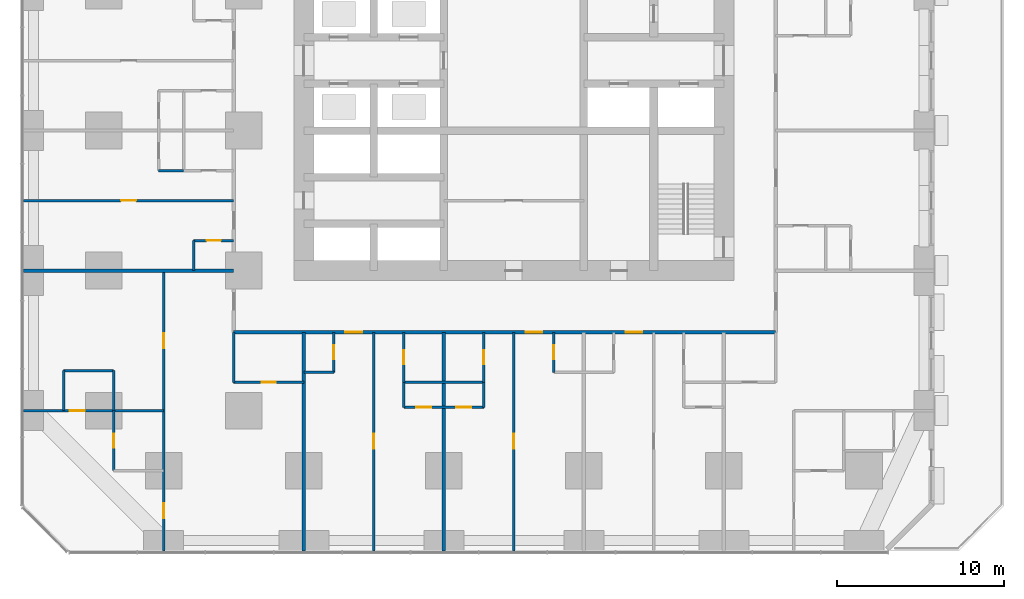
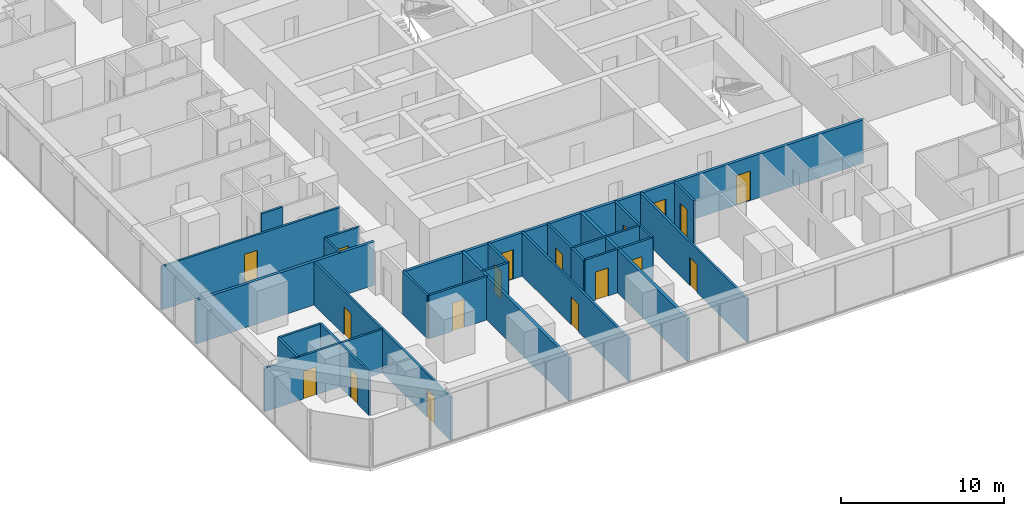
# One storey, part 7 of 16: 27 walls, 18 doors, 18 openings.
"""IFC4 building model written with IfcOpenShell, lengths in metres."""

from ifc_helpers import new_model, si_unit, direction, frame, frame_2d, origin, place, context, subcontext, project, spatial, rectangle, extrude, material, layer, layer_set, type_object, element, fill, save


model = new_model("IFC4")

# Units and contexts
model_context = context("Model", 3, precision=1e-05, world=origin(), true_north=direction((0.0, 1.0)))
body_context = subcontext(model_context, "Body", "Model", "MODEL_VIEW")
ifc_project = project(units=[si_unit("LENGTHUNIT", "METRE"), si_unit("AREAUNIT", "SQUARE_METRE"), si_unit("VOLUMEUNIT", "CUBIC_METRE"), si_unit("PLANEANGLEUNIT", "RADIAN"), si_unit("MASSUNIT", "GRAM", prefix="KILO")], contexts=[model_context])

# Site, building, storey
site_placement = place(None, origin())
site = spatial("IfcSite", under=ifc_project, at=site_placement, CompositionType="ELEMENT")
building_placement = place(site_placement, origin())
building = spatial("IfcBuilding", under=site, at=building_placement, Name="Dunama Terrace Hotel", CompositionType="ELEMENT")
storey_placement = place(building_placement, frame((0.0, 0.0, 93.60009765625)))
storey = spatial("IfcBuildingStorey", under=building, at=storey_placement, Name="L23", CompositionType="ELEMENT", Elevation=93.60009765625)

# Wall, opening, door
ifc_material_1 = material(Name="Gypsum board partition", Category="masonry")
ifc_layer_1 = layer(ifc_material_1, 0.14990234375)
ifc_layer_set_1 = layer_set([ifc_layer_1], Name="Bathroom partition 150")
wall_type_1 = type_object("IfcWallType", Name="Bathroom partition 150", PredefinedType="PARTITIONING", material=ifc_layer_set_1)
wall_1_placement = place(storey_placement, frame((5.39990234375, 4.800048828125, 0.0), z_axis=(0.0, 0.0, 1.0), x_axis=(0.0, 1.0, 0.0)))
wall_1 = element("IfcWall", 1, at=wall_1_placement, inside=storey, type_object=wall_type_1, Name="Bathroom partition 150 L23", PredefinedType="PARTITIONING", context=body_context, shape_type="SweptSolid", body=[
    extrude(rectangle(XDim=3.599853515625, YDim=0.14990234375, at=frame_2d((1.7998046875, 0.0))), origin(), (0.0, 0.0, 1.0), 3.25),
])
opening_1_placement = place(wall_1_placement, frame((1.375, 0.0, 0.0)))
opening_1 = element("IfcOpeningElement", 2, at=opening_1_placement, cuts=wall_1, Name="Opening L23-074", PredefinedType="OPENING", context=body_context, shape_type="SweptSolid", body=[
    extrude(rectangle(XDim=0.85009765625, YDim=2.10009765625, at=frame_2d((0.425048828125, 1.050048828125))), frame((0.0, 0.0849609375, 0.0), z_axis=(0.0, -1.0, 0.0), x_axis=(1.0, 0.0, 0.0)), (0.0, 0.0, 1.0), 0.169921875),
])
ifc_material_2 = material(Name="Timber door with steel frame", Category="steel")
door_type_1 = type_object("IfcDoorType", Name="Bathroom door 850", OperationType="SINGLE_SWING_LEFT", PredefinedType="DOOR", material=ifc_material_2)
door_1_placement = place(opening_1_placement, frame((0.85009765625, 0.0, 0.0), z_axis=(0.0, 0.0, 1.0), x_axis=(-1.0, 0.0, 0.0)))
door_1 = element("IfcDoor", 3, at=door_1_placement, inside=storey, type_object=door_type_1, Name="Door to en-suite bathroom L23-074, type D2", OperationType="SINGLE_SWING_LEFT", OverallHeight=2.10009765625, OverallWidth=0.85009765625, PredefinedType="DOOR", context=body_context, shape_type="SweptSolid", body=[
    extrude(rectangle(XDim=0.85009765625, YDim=2.10009765625, at=frame_2d((0.425048828125, 1.050048828125))), frame((0.0, 0.025146484375, 0.0), z_axis=(0.0, -1.0, 0.0), x_axis=(1.0, 0.0, 0.0)), (0.0, 0.0, 1.0), 0.050048828125),
])
fill(opening_1, door_1)

# Walls
wall_2_placement = place(storey_placement, frame((10.199951171875, 16.800048828125, 0.0), z_axis=(0.0, 0.0, 1.0), x_axis=(0.0, 1.0, 0.0)))
element("IfcWall", 4, at=wall_2_placement, inside=storey, type_object=wall_type_1, Name="Bathroom partition 150 L23", PredefinedType="PARTITIONING", context=body_context, shape_type="SweptSolid", body=[
    extrude(rectangle(XDim=1.800048828125, YDim=0.14990234375, at=frame_2d((0.89990234375, 0.0))), origin(), (0.0, 0.0, 1.0), 3.25),
])
wall_3_placement = place(storey_placement, frame((12.60009765625, 10.10009765625, 0.0), z_axis=(0.0, 0.0, 1.0), x_axis=(0.0, 1.0, 0.0)))
element("IfcWall", 5, at=wall_3_placement, inside=storey, type_object=wall_type_1, Name="Bathroom partition 150 L23", PredefinedType="PARTITIONING", context=body_context, shape_type="SweptSolid", body=[
    extrude(rectangle(XDim=3.0, YDim=0.14990234375, at=frame_2d((1.5, 0.0))), origin(), (0.0, 0.0, 1.0), 3.25),
])

# Wall, opening, door
wall_4_placement = place(storey_placement, frame((18.60009765625, 10.699951171875, 0.0), z_axis=(0.0, 0.0, 1.0), x_axis=(0.0, 1.0, 0.0)))
wall_4 = element("IfcWall", 6, at=wall_4_placement, inside=storey, type_object=wall_type_1, Name="Bathroom partition 150 L23", PredefinedType="PARTITIONING", context=body_context, shape_type="SweptSolid", body=[
    extrude(rectangle(XDim=2.400146484375, YDim=0.14990234375, at=frame_2d((1.2001953125, 0.0))), origin(), (0.0, 0.0, 1.0), 3.25),
])
opening_2_placement = place(wall_4_placement, frame((0.77490234375, 0.0, 0.0)))
opening_2 = element("IfcOpeningElement", 7, at=opening_2_placement, cuts=wall_4, Name="Opening L23-026", PredefinedType="OPENING", context=body_context, shape_type="SweptSolid", body=[
    extrude(rectangle(XDim=0.85009765625, YDim=2.10009765625, at=frame_2d((0.425048828125, 1.050048828125))), frame((0.0, 0.0849609375, 0.0), z_axis=(0.0, -1.0, 0.0), x_axis=(1.0, 0.0, 0.0)), (0.0, 0.0, 1.0), 0.169921875),
])
door_2_placement = place(opening_2_placement, origin())
door_2 = element("IfcDoor", 8, at=door_2_placement, inside=storey, type_object=door_type_1, Name="Door to powder room L23-026, type D2", OperationType="SINGLE_SWING_RIGHT", OverallHeight=2.10009765625, OverallWidth=0.85009765625, PredefinedType="DOOR", context=body_context, shape_type="SweptSolid", body=[
    extrude(rectangle(XDim=0.85009765625, YDim=2.10009765625, at=frame_2d((0.425048828125, 1.050048828125))), frame((0.0, 0.02490234375, 0.0), z_axis=(0.0, -1.0, 0.0), x_axis=(1.0, 0.0, 0.0)), (0.0, 0.0, 1.0), 0.050048828125),
])
fill(opening_2, door_2)

wall_5_placement = place(storey_placement, frame((22.800048828125, 10.10009765625, 0.0), z_axis=(0.0, 0.0, 1.0), x_axis=(0.0, 1.0, 0.0)))
wall_5 = element("IfcWall", 9, at=wall_5_placement, inside=storey, type_object=wall_type_1, Name="Bathroom partition 150 L23", PredefinedType="PARTITIONING", context=body_context, shape_type="SweptSolid", body=[
    extrude(rectangle(XDim=3.0, YDim=0.14990234375, at=frame_2d((1.5, 0.0))), origin(), (0.0, 0.0, 1.0), 3.25),
])
opening_3_placement = place(wall_5_placement, frame((1.074951171875, 0.0, 0.0)))
opening_3 = element("IfcOpeningElement", 10, at=opening_3_placement, cuts=wall_5, Name="Opening L23-028", PredefinedType="OPENING", context=body_context, shape_type="SweptSolid", body=[
    extrude(rectangle(XDim=0.85009765625, YDim=2.10009765625, at=frame_2d((0.425048828125, 1.050048828125))), frame((0.0, 0.0849609375, 0.0), z_axis=(0.0, -1.0, 0.0), x_axis=(1.0, 0.0, 0.0)), (0.0, 0.0, 1.0), 0.169921875),
])
door_3_placement = place(opening_3_placement, frame((0.85009765625, 0.0, 0.0), z_axis=(0.0, 0.0, 1.0), x_axis=(-1.0, 0.0, 0.0)))
door_3 = element("IfcDoor", 11, at=door_3_placement, inside=storey, type_object=door_type_1, Name="Door to en-suite bathroom L23-028, type D2", OperationType="SINGLE_SWING_LEFT", OverallHeight=2.10009765625, OverallWidth=0.85009765625, PredefinedType="DOOR", context=body_context, shape_type="SweptSolid", body=[
    extrude(rectangle(XDim=0.85009765625, YDim=2.10009765625, at=frame_2d((0.425048828125, 1.050048828125))), frame((0.0, 0.025146484375, 0.0), z_axis=(0.0, -1.0, 0.0), x_axis=(1.0, 0.0, 0.0)), (0.0, 0.0, 1.0), 0.050048828125),
])
fill(opening_3, door_3)

wall_6_placement = place(storey_placement, frame((27.60009765625, 10.10009765625, 0.0), z_axis=(0.0, 0.0, 1.0), x_axis=(0.0, 1.0, 0.0)))
wall_6 = element("IfcWall", 12, at=wall_6_placement, inside=storey, type_object=wall_type_1, Name="Bathroom partition 150 L23", PredefinedType="PARTITIONING", context=body_context, shape_type="SweptSolid", body=[
    extrude(rectangle(XDim=3.0, YDim=0.14990234375, at=frame_2d((1.5, 0.0))), origin(), (0.0, 0.0, 1.0), 3.25),
])
opening_4_placement = place(wall_6_placement, frame((1.074951171875, 0.0, 0.0)))
opening_4 = element("IfcOpeningElement", 13, at=opening_4_placement, cuts=wall_6, Name="Opening L23-033", PredefinedType="OPENING", context=body_context, shape_type="SweptSolid", body=[
    extrude(rectangle(XDim=0.85009765625, YDim=2.10009765625, at=frame_2d((0.425048828125, 1.050048828125))), frame((0.0, 0.0849609375, 0.0), z_axis=(0.0, -1.0, 0.0), x_axis=(1.0, 0.0, 0.0)), (0.0, 0.0, 1.0), 0.169921875),
])
door_4_placement = place(opening_4_placement, origin())
door_4 = element("IfcDoor", 14, at=door_4_placement, inside=storey, type_object=door_type_1, Name="Door to en-suite bathroom L23-033, type D2", OperationType="SINGLE_SWING_RIGHT", OverallHeight=2.10009765625, OverallWidth=0.85009765625, PredefinedType="DOOR", context=body_context, shape_type="SweptSolid", body=[
    extrude(rectangle(XDim=0.85009765625, YDim=2.10009765625, at=frame_2d((0.425048828125, 1.050048828125))), frame((0.0, 0.02490234375, 0.0), z_axis=(0.0, -1.0, 0.0), x_axis=(1.0, 0.0, 0.0)), (0.0, 0.0, 1.0), 0.050048828125),
])
fill(opening_4, door_4)

wall_7_placement = place(storey_placement, frame((31.800048828125, 10.699951171875, 0.0), z_axis=(0.0, 0.0, 1.0), x_axis=(0.0, 1.0, 0.0)))
wall_7 = element("IfcWall", 15, at=wall_7_placement, inside=storey, type_object=wall_type_1, Name="Bathroom partition 150 L23", PredefinedType="PARTITIONING", context=body_context, shape_type="SweptSolid", body=[
    extrude(rectangle(XDim=2.400146484375, YDim=0.14990234375, at=frame_2d((1.2001953125, 0.0))), origin(), (0.0, 0.0, 1.0), 3.25),
])
opening_5_placement = place(wall_7_placement, frame((0.77490234375, 0.0, 0.0)))
opening_5 = element("IfcOpeningElement", 16, at=opening_5_placement, cuts=wall_7, Name="Opening L23-031", PredefinedType="OPENING", context=body_context, shape_type="SweptSolid", body=[
    extrude(rectangle(XDim=0.85009765625, YDim=2.10009765625, at=frame_2d((0.425048828125, 1.050048828125))), frame((0.0, 0.0849609375, 0.0), z_axis=(0.0, -1.0, 0.0), x_axis=(1.0, 0.0, 0.0)), (0.0, 0.0, 1.0), 0.169921875),
])
door_5_placement = place(opening_5_placement, frame((0.85009765625, 0.0, 0.0), z_axis=(0.0, 0.0, 1.0), x_axis=(-1.0, 0.0, 0.0)))
door_5 = element("IfcDoor", 17, at=door_5_placement, inside=storey, type_object=door_type_1, Name="Door to powder room L23-031, type D2", OperationType="SINGLE_SWING_LEFT", OverallHeight=2.10009765625, OverallWidth=0.85009765625, PredefinedType="DOOR", context=body_context, shape_type="SweptSolid", body=[
    extrude(rectangle(XDim=0.85009765625, YDim=2.10009765625, at=frame_2d((0.425048828125, 1.050048828125))), frame((0.0, 0.025146484375, 0.0), z_axis=(0.0, -1.0, 0.0), x_axis=(1.0, 0.0, 0.0)), (0.0, 0.0, 1.0), 0.050048828125),
])
fill(opening_5, door_5)

wall_8_placement = place(storey_placement, frame((12.60009765625, 10.10009765625, 0.0), z_axis=(0.0, 0.0, 1.0), x_axis=(1.0, 0.0, 0.0)))
wall_8 = element("IfcWall", 18, at=wall_8_placement, inside=storey, type_object=wall_type_1, Name="Bathroom partition 150 L23", PredefinedType="PARTITIONING", context=body_context, shape_type="SweptSolid", body=[
    extrude(rectangle(XDim=4.199951171875, YDim=0.14990234375, at=frame_2d((2.10009765625, 0.0))), origin(), (0.0, 0.0, 1.0), 3.25),
])
opening_6_placement = place(wall_8_placement, frame((1.675048828125, 0.0, 0.0)))
opening_6 = element("IfcOpeningElement", 19, at=opening_6_placement, cuts=wall_8, Name="Opening L23-072", PredefinedType="OPENING", context=body_context, shape_type="SweptSolid", body=[
    extrude(rectangle(XDim=0.85009765625, YDim=2.10009765625, at=frame_2d((0.425048828125, 1.050048828125))), frame((0.0, 0.0849609375, 0.0), z_axis=(0.0, -1.0, 0.0), x_axis=(1.0, 0.0, 0.0)), (0.0, 0.0, 1.0), 0.169921875),
])
door_6_placement = place(opening_6_placement, origin())
door_6 = element("IfcDoor", 20, at=door_6_placement, inside=storey, type_object=door_type_1, Name="Door to powder room L23-072, type D2", OperationType="SINGLE_SWING_LEFT", OverallHeight=2.10009765625, OverallWidth=0.85009765625, PredefinedType="DOOR", context=body_context, shape_type="SweptSolid", body=[
    extrude(rectangle(XDim=0.85009765625, YDim=2.10009765625, at=frame_2d((0.425048828125, 1.050048828125))), frame((0.0, 0.02490234375, 0.0), z_axis=(0.0, -1.0, 0.0), x_axis=(1.0, 0.0, 0.0)), (0.0, 0.0, 1.0), 0.050048828125),
])
fill(opening_6, door_6)

# Wall
wall_9_placement = place(storey_placement, frame((16.800048828125, 10.699951171875, 0.0), z_axis=(0.0, 0.0, 1.0), x_axis=(1.0, 0.0, 0.0)))
element("IfcWall", 21, at=wall_9_placement, inside=storey, type_object=wall_type_1, Name="Bathroom partition 150 L23", PredefinedType="PARTITIONING", context=body_context, shape_type="SweptSolid", body=[
    extrude(rectangle(XDim=1.800048828125, YDim=0.14990234375, at=frame_2d((0.89990234375, 0.0))), origin(), (0.0, 0.0, 1.0), 3.25),
])

# Wall, opening, door
wall_10_placement = place(storey_placement, frame((10.199951171875, 18.60009765625, 0.0), z_axis=(0.0, 0.0, 1.0), x_axis=(1.0, 0.0, 0.0)))
wall_10 = element("IfcWall", 22, at=wall_10_placement, inside=storey, type_object=wall_type_1, Name="Bathroom partition 150 L23", PredefinedType="PARTITIONING", context=body_context, shape_type="SweptSolid", body=[
    extrude(rectangle(XDim=2.400146484375, YDim=0.14990234375, at=frame_2d((1.2001953125, 0.0))), origin(), (0.0, 0.0, 1.0), 3.25),
])
opening_7_placement = place(wall_10_placement, frame((0.77490234375, 0.0, 0.0)))
opening_7 = element("IfcOpeningElement", 23, at=opening_7_placement, cuts=wall_10, Name="Opening L23-057", PredefinedType="OPENING", context=body_context, shape_type="SweptSolid", body=[
    extrude(rectangle(XDim=0.85009765625, YDim=2.10009765625, at=frame_2d((0.425048828125, 1.050048828125))), frame((0.0, 0.0849609375, 0.0), z_axis=(0.0, -1.0, 0.0), x_axis=(1.0, 0.0, 0.0)), (0.0, 0.0, 1.0), 0.169921875),
])
door_7_placement = place(opening_7_placement, frame((0.85009765625, 0.0, 0.0), z_axis=(0.0, 0.0, 1.0), x_axis=(-1.0, 0.0, 0.0)))
door_7 = element("IfcDoor", 24, at=door_7_placement, inside=storey, type_object=door_type_1, Name="Door to powder room L23-057, type D2", OperationType="SINGLE_SWING_LEFT", OverallHeight=2.10009765625, OverallWidth=0.85009765625, PredefinedType="DOOR", context=body_context, shape_type="SweptSolid", body=[
    extrude(rectangle(XDim=0.85009765625, YDim=2.10009765625, at=frame_2d((0.425048828125, 1.050048828125))), frame((0.0, 0.025146484375, 0.0), z_axis=(0.0, -1.0, 0.0), x_axis=(1.0, 0.0, 0.0)), (0.0, 0.0, 1.0), 0.050048828125),
])
fill(opening_7, door_7)

# Wall, openings, doors
ifc_material_3 = material(Name="Concrete blockwork", Category="masonry")
ifc_layer_2 = layer(ifc_material_3, 0.199951171875)
ifc_layer_set_2 = layer_set([ifc_layer_2], Name="Corridor partition 200")
wall_type_2 = type_object("IfcWallType", Name="Corridor partition 200", PredefinedType="PARTITIONING", material=ifc_layer_set_2)
wall_11_placement = place(storey_placement, frame((45.10009765625, 13.10009765625, 0.0), z_axis=(0.0, 0.0, 1.0), x_axis=(-1.0, 0.0, 0.0)))
wall_11 = element("IfcWall", 25, at=wall_11_placement, inside=storey, type_object=wall_type_2, Name="Corridor partition 200 L23", PredefinedType="PARTITIONING", context=body_context, shape_type="SweptSolid", body=[
    extrude(rectangle(XDim=32.5, YDim=0.199951171875, at=frame_2d((16.25, 0.0))), origin(), (0.0, 0.0, 1.0), 3.25),
])
opening_8_placement = place(wall_11_placement, frame((24.800048828125, 0.0, 0.0)))
opening_8 = element("IfcOpeningElement", 26, at=opening_8_placement, cuts=wall_11, Name="Opening L23-025", PredefinedType="OPENING", context=body_context, shape_type="SweptSolid", body=[
    extrude(rectangle(XDim=1.0, YDim=2.199951171875, at=frame_2d((0.5, 1.10009765625))), frame((0.0, 0.10986328125, 0.0), z_axis=(0.0, -1.0, 0.0), x_axis=(1.0, 0.0, 0.0)), (0.0, 0.0, 1.0), 0.219970703125),
])
opening_9_placement = place(wall_11_placement, frame((14.0, 0.0, 0.0)))
opening_9 = element("IfcOpeningElement", 27, at=opening_9_placement, cuts=wall_11, Name="Opening L23-030", PredefinedType="OPENING", context=body_context, shape_type="SweptSolid", body=[
    extrude(rectangle(XDim=1.0, YDim=2.199951171875, at=frame_2d((0.5, 1.10009765625))), frame((0.0, 0.10986328125, 0.0), z_axis=(0.0, -1.0, 0.0), x_axis=(1.0, 0.0, 0.0)), (0.0, 0.0, 1.0), 0.219970703125),
])
opening_10_placement = place(wall_11_placement, frame((8.0, 0.0, 0.0)))
opening_10 = element("IfcOpeningElement", 28, at=opening_10_placement, cuts=wall_11, Name="Opening L23-035", PredefinedType="OPENING", context=body_context, shape_type="SweptSolid", body=[
    extrude(rectangle(XDim=1.0, YDim=2.199951171875, at=frame_2d((0.5, 1.10009765625))), frame((0.0, 0.10986328125, 0.0), z_axis=(0.0, -1.0, 0.0), x_axis=(1.0, 0.0, 0.0)), (0.0, 0.0, 1.0), 0.219970703125),
])
ifc_material_4 = material(Name="Timber door with steel frame", Category="steel")
door_type_2 = type_object("IfcDoorType", Name="Guest room door 1000", OperationType="SINGLE_SWING_LEFT", PredefinedType="DOOR", material=ifc_material_4)
door_8_placement = place(opening_8_placement, origin())
door_8 = element("IfcDoor", 29, at=door_8_placement, inside=storey, type_object=door_type_2, Name="Door to premier suite living room L23-025, type D1", OperationType="SINGLE_SWING_LEFT", OverallHeight=2.199951171875, OverallWidth=1.0, PredefinedType="DOOR", context=body_context, shape_type="SweptSolid", body=[
    extrude(rectangle(XDim=1.0, YDim=2.199951171875, at=frame_2d((0.5, 1.10009765625))), frame((0.0, 0.02490234375, 0.0), z_axis=(0.0, -1.0, 0.0), x_axis=(1.0, 0.0, 0.0)), (0.0, 0.0, 1.0), 0.050048828125),
])
fill(opening_8, door_8)
door_9_placement = place(opening_9_placement, origin())
door_9 = element("IfcDoor", 30, at=door_9_placement, inside=storey, type_object=door_type_2, Name="Door to premier suite living room L23-030, type D1", OperationType="SINGLE_SWING_LEFT", OverallHeight=2.199951171875, OverallWidth=1.0, PredefinedType="DOOR", context=body_context, shape_type="SweptSolid", body=[
    extrude(rectangle(XDim=1.0, YDim=2.199951171875, at=frame_2d((0.5, 1.10009765625))), frame((0.0, 0.02490234375, 0.0), z_axis=(0.0, -1.0, 0.0), x_axis=(1.0, 0.0, 0.0)), (0.0, 0.0, 1.0), 0.050048828125),
])
fill(opening_9, door_9)
door_10_placement = place(opening_10_placement, origin())
door_10 = element("IfcDoor", 31, at=door_10_placement, inside=storey, type_object=door_type_2, Name="Door to premier suite living room L23-035, type D1", OperationType="SINGLE_SWING_LEFT", OverallHeight=2.199951171875, OverallWidth=1.0, PredefinedType="DOOR", context=body_context, shape_type="SweptSolid", body=[
    extrude(rectangle(XDim=1.0, YDim=2.199951171875, at=frame_2d((0.5, 1.10009765625))), frame((0.0, 0.02490234375, 0.0), z_axis=(0.0, -1.0, 0.0), x_axis=(1.0, 0.0, 0.0)), (0.0, 0.0, 1.0), 0.050048828125),
])
fill(opening_10, door_10)

# Walls
ifc_material_5 = material(Name="Concrete blockwork", Category="masonry")
ifc_layer_3 = layer(ifc_material_5, 0.199951171875)
ifc_layer_set_3 = layer_set([ifc_layer_3], Name="Party wall 200")
wall_type_3 = type_object("IfcWallType", Name="Party wall 200", PredefinedType="PARTITIONING", material=ifc_layer_set_3)
for number, where, z_axis, x_axis, name in (
    (32, (16.800048828125, -0.01806640625, 0.0), (0.0, 0.0, 1.0), (0.0, 1.0, 0.0), "Party wall 200 L23"),
    (33, (25.199951171875, -0.01806640625, 0.0), (0.0, 0.0, 1.0), (0.0, 1.0, 0.0), "Party wall 200 L23"),
):
    element("IfcWall", number, at=place(storey_placement, frame(where, z_axis=z_axis, x_axis=x_axis)), inside=storey, type_object=wall_type_3, Name=name, PredefinedType="PARTITIONING", context=body_context, shape_type="SweptSolid", body=[
        extrude(rectangle(XDim=13.1181640625, YDim=0.199951171875, at=frame_2d((6.55908203125, 0.0))), origin(), (0.0, 0.0, 1.0), 3.25),
    ])
wall_12_placement = place(storey_placement, frame((-0.01806640625, 16.800048828125, 0.0), z_axis=(0.0, 0.0, 1.0), x_axis=(1.0, 0.0, 0.0)))
element("IfcWall", 34, at=wall_12_placement, inside=storey, type_object=wall_type_3, Name="Party wall 200 L23", PredefinedType="PARTITIONING", context=body_context, shape_type="SweptSolid", body=[
    extrude(rectangle(XDim=12.6181640625, YDim=0.199951171875, at=frame_2d((6.30908203125, 0.0))), origin(), (0.0, 0.0, 1.0), 3.25),
])
ifc_material_6 = material(Name="Gypsum board partition", Category="masonry")
ifc_layer_4 = layer(ifc_material_6, 0.14990234375)
ifc_layer_set_4 = layer_set([ifc_layer_4], Name="Room partition 150")
wall_type_4 = type_object("IfcWallType", Name="Room partition 150", PredefinedType="PARTITIONING", material=ifc_layer_set_4)
for number, where, z_axis, x_axis, name in (
    (35, (2.39990234375, 8.39990234375, 0.0), (0.0, 0.0, 1.0), (0.0, 1.0, 0.0), "Room partition 150 L23"),
    (36, (5.39990234375, 8.39990234375, 0.0), (0.0, 0.0, 1.0), (0.0, 1.0, 0.0), "Room partition 150 L23"),
):
    element("IfcWall", number, at=place(storey_placement, frame(where, z_axis=z_axis, x_axis=x_axis)), inside=storey, type_object=wall_type_4, Name=name, PredefinedType="PARTITIONING", context=body_context, shape_type="SweptSolid", body=[
        extrude(rectangle(XDim=2.400146484375, YDim=0.14990234375, at=frame_2d((1.2001953125, 0.0))), origin(), (0.0, 0.0, 1.0), 3.25),
    ])

# Wall, openings, doors
wall_13_placement = place(storey_placement, frame((8.39990234375, -0.01806640625, 0.0), z_axis=(0.0, 0.0, 1.0), x_axis=(0.0, 1.0, 0.0)))
wall_13 = element("IfcWall", 37, at=wall_13_placement, inside=storey, type_object=wall_type_4, Name="Room partition 150 L23", PredefinedType="PARTITIONING", context=body_context, shape_type="SweptSolid", body=[
    extrude(rectangle(XDim=16.818115234375, YDim=0.14990234375, at=frame_2d((8.4091796875, 0.0))), origin(), (0.0, 0.0, 1.0), 3.25),
])
opening_11_placement = place(wall_13_placement, frame((1.968017578125, 0.0, 0.0)))
opening_11 = element("IfcOpeningElement", 38, at=opening_11_placement, cuts=wall_13, Name="Opening L23-073", PredefinedType="OPENING", context=body_context, shape_type="SweptSolid", body=[
    extrude(rectangle(XDim=0.89990234375, YDim=2.10009765625, at=frame_2d((0.449951171875, 1.050048828125))), frame((0.0, 0.0849609375, 0.0), z_axis=(0.0, -1.0, 0.0), x_axis=(1.0, 0.0, 0.0)), (0.0, 0.0, 1.0), 0.169921875),
])
opening_12_placement = place(wall_13_placement, frame((12.16796875, 0.0, 0.0)))
opening_12 = element("IfcOpeningElement", 39, at=opening_12_placement, cuts=wall_13, Name="Opening L23-076", PredefinedType="OPENING", context=body_context, shape_type="SweptSolid", body=[
    extrude(rectangle(XDim=0.89990234375, YDim=2.10009765625, at=frame_2d((0.449951171875, 1.050048828125))), frame((0.0, 0.0849609375, 0.0), z_axis=(0.0, -1.0, 0.0), x_axis=(1.0, 0.0, 0.0)), (0.0, 0.0, 1.0), 0.169921875),
])
ifc_material_7 = material(Name="Timber door with steel frame", Category="steel")
door_type_3 = type_object("IfcDoorType", Name="Suite internal door 900", OperationType="SINGLE_SWING_LEFT", PredefinedType="DOOR", material=ifc_material_7)
door_11_placement = place(opening_11_placement, origin())
door_11 = element("IfcDoor", 40, at=door_11_placement, inside=storey, type_object=door_type_3, Name="Door to corner suite bedroom L23-073, type D16", OperationType="SINGLE_SWING_LEFT", OverallHeight=2.10009765625, OverallWidth=0.89990234375, PredefinedType="DOOR", context=body_context, shape_type="SweptSolid", body=[
    extrude(rectangle(XDim=0.89990234375, YDim=2.10009765625, at=frame_2d((0.449951171875, 1.050048828125))), frame((0.0, 0.02490234375, 0.0), z_axis=(0.0, -1.0, 0.0), x_axis=(1.0, 0.0, 0.0)), (0.0, 0.0, 1.0), 0.050048828125),
])
fill(opening_11, door_11)
door_12_placement = place(opening_12_placement, origin())
door_12 = element("IfcDoor", 41, at=door_12_placement, inside=storey, type_object=door_type_3, Name="Door to corner suite study L23-076, type D16", OperationType="SINGLE_SWING_LEFT", OverallHeight=2.10009765625, OverallWidth=0.89990234375, PredefinedType="DOOR", context=body_context, shape_type="SweptSolid", body=[
    extrude(rectangle(XDim=0.89990234375, YDim=2.10009765625, at=frame_2d((0.449951171875, 1.050048828125))), frame((0.0, 0.02490234375, 0.0), z_axis=(0.0, -1.0, 0.0), x_axis=(1.0, 0.0, 0.0)), (0.0, 0.0, 1.0), 0.050048828125),
])
fill(opening_12, door_12)

# Wall, opening, door
wall_14_placement = place(storey_placement, frame((21.0, -0.01806640625, 0.0), z_axis=(0.0, 0.0, 1.0), x_axis=(0.0, 1.0, 0.0)))
wall_14 = element("IfcWall", 42, at=wall_14_placement, inside=storey, type_object=wall_type_4, Name="Room partition 150 L23", PredefinedType="PARTITIONING", context=body_context, shape_type="SweptSolid", body=[
    extrude(rectangle(XDim=13.1181640625, YDim=0.14990234375, at=frame_2d((6.55908203125, 0.0))), origin(), (0.0, 0.0, 1.0), 3.25),
])
opening_13_placement = place(wall_14_placement, frame((6.117919921875, 0.0, 0.0)))
opening_13 = element("IfcOpeningElement", 43, at=opening_13_placement, cuts=wall_14, Name="Opening L23-027", PredefinedType="OPENING", context=body_context, shape_type="SweptSolid", body=[
    extrude(rectangle(XDim=0.89990234375, YDim=2.10009765625, at=frame_2d((0.449951171875, 1.050048828125))), frame((0.0, 0.0849609375, 0.0), z_axis=(0.0, -1.0, 0.0), x_axis=(1.0, 0.0, 0.0)), (0.0, 0.0, 1.0), 0.169921875),
])
door_13_placement = place(opening_13_placement, frame((0.89990234375, 0.0, 0.0), z_axis=(0.0, 0.0, 1.0), x_axis=(-1.0, 0.0, 0.0)))
door_13 = element("IfcDoor", 44, at=door_13_placement, inside=storey, type_object=door_type_3, Name="Door to premier suite bedroom L23-027, type D16", OperationType="SINGLE_SWING_LEFT", OverallHeight=2.10009765625, OverallWidth=0.89990234375, PredefinedType="DOOR", context=body_context, shape_type="SweptSolid", body=[
    extrude(rectangle(XDim=0.89990234375, YDim=2.10009765625, at=frame_2d((0.449951171875, 1.050048828125))), frame((0.0, 0.025146484375, 0.0), z_axis=(0.0, -1.0, 0.0), x_axis=(1.0, 0.0, 0.0)), (0.0, 0.0, 1.0), 0.050048828125),
])
fill(opening_13, door_13)

# Walls
for number, where, z_axis, x_axis, name in (
    (45, (22.800048828125, 8.60009765625, 0.0), (0.0, 0.0, 1.0), (0.0, 1.0, 0.0), "Room partition 150 L23"),
    (46, (27.60009765625, 8.60009765625, 0.0), (0.0, 0.0, 1.0), (0.0, 1.0, 0.0), "Room partition 150 L23"),
):
    element("IfcWall", number, at=place(storey_placement, frame(where, z_axis=z_axis, x_axis=x_axis)), inside=storey, type_object=wall_type_4, Name=name, PredefinedType="PARTITIONING", context=body_context, shape_type="SweptSolid", body=[
        extrude(rectangle(XDim=1.5, YDim=0.14990234375, at=frame_2d((0.75, 0.0))), origin(), (0.0, 0.0, 1.0), 3.25),
    ])

# Wall, opening, door
wall_15_placement = place(storey_placement, frame((29.39990234375, -0.01806640625, 0.0), z_axis=(0.0, 0.0, 1.0), x_axis=(0.0, 1.0, 0.0)))
wall_15 = element("IfcWall", 47, at=wall_15_placement, inside=storey, type_object=wall_type_4, Name="Room partition 150 L23", PredefinedType="PARTITIONING", context=body_context, shape_type="SweptSolid", body=[
    extrude(rectangle(XDim=13.1181640625, YDim=0.14990234375, at=frame_2d((6.55908203125, 0.0))), origin(), (0.0, 0.0, 1.0), 3.25),
])
opening_14_placement = place(wall_15_placement, frame((6.117919921875, 0.0, 0.0)))
opening_14 = element("IfcOpeningElement", 48, at=opening_14_placement, cuts=wall_15, Name="Opening L23-032", PredefinedType="OPENING", context=body_context, shape_type="SweptSolid", body=[
    extrude(rectangle(XDim=0.89990234375, YDim=2.10009765625, at=frame_2d((0.449951171875, 1.050048828125))), frame((0.0, 0.0849609375, 0.0), z_axis=(0.0, -1.0, 0.0), x_axis=(1.0, 0.0, 0.0)), (0.0, 0.0, 1.0), 0.169921875),
])
door_14_placement = place(opening_14_placement, origin())
door_14 = element("IfcDoor", 49, at=door_14_placement, inside=storey, type_object=door_type_3, Name="Door to premier suite bedroom L23-032, type D16", OperationType="SINGLE_SWING_RIGHT", OverallHeight=2.10009765625, OverallWidth=0.89990234375, PredefinedType="DOOR", context=body_context, shape_type="SweptSolid", body=[
    extrude(rectangle(XDim=0.89990234375, YDim=2.10009765625, at=frame_2d((0.449951171875, 1.050048828125))), frame((0.0, 0.02490234375, 0.0), z_axis=(0.0, -1.0, 0.0), x_axis=(1.0, 0.0, 0.0)), (0.0, 0.0, 1.0), 0.050048828125),
])
fill(opening_14, door_14)

wall_16_placement = place(storey_placement, frame((-0.01806640625, 8.39990234375, 0.0), z_axis=(0.0, 0.0, 1.0), x_axis=(1.0, 0.0, 0.0)))
wall_16 = element("IfcWall", 50, at=wall_16_placement, inside=storey, type_object=wall_type_4, Name="Room partition 150 L23", PredefinedType="PARTITIONING", context=body_context, shape_type="SweptSolid", body=[
    extrude(rectangle(XDim=8.41796875, YDim=0.14990234375, at=frame_2d((4.208984375, 0.0))), origin(), (0.0, 0.0, 1.0), 3.25),
])
opening_15_placement = place(wall_16_placement, frame((2.76806640625, 0.0, 0.0)))
opening_15 = element("IfcOpeningElement", 51, at=opening_15_placement, cuts=wall_16, Name="Opening L23-075", PredefinedType="OPENING", context=body_context, shape_type="SweptSolid", body=[
    extrude(rectangle(XDim=0.89990234375, YDim=2.10009765625, at=frame_2d((0.449951171875, 1.050048828125))), frame((0.0, 0.0849609375, 0.0), z_axis=(0.0, -1.0, 0.0), x_axis=(1.0, 0.0, 0.0)), (0.0, 0.0, 1.0), 0.169921875),
])
door_15_placement = place(opening_15_placement, origin())
door_15 = element("IfcDoor", 52, at=door_15_placement, inside=storey, type_object=door_type_3, Name="Door to dressing room L23-075, type D16", OperationType="SINGLE_SWING_RIGHT", OverallHeight=2.10009765625, OverallWidth=0.89990234375, PredefinedType="DOOR", context=body_context, shape_type="SweptSolid", body=[
    extrude(rectangle(XDim=0.89990234375, YDim=2.10009765625, at=frame_2d((0.449951171875, 1.050048828125))), frame((0.0, 0.02490234375, 0.0), z_axis=(0.0, -1.0, 0.0), x_axis=(1.0, 0.0, 0.0)), (0.0, 0.0, 1.0), 0.050048828125),
])
fill(opening_15, door_15)

# Wall, openings, doors
wall_17_placement = place(storey_placement, frame((22.800048828125, 8.60009765625, 0.0), z_axis=(0.0, 0.0, 1.0), x_axis=(1.0, 0.0, 0.0)))
wall_17 = element("IfcWall", 53, at=wall_17_placement, inside=storey, type_object=wall_type_4, Name="Room partition 150 L23", PredefinedType="PARTITIONING", context=body_context, shape_type="SweptSolid", body=[
    extrude(rectangle(XDim=4.800048828125, YDim=0.14990234375, at=frame_2d((2.39990234375, 0.0))), origin(), (0.0, 0.0, 1.0), 3.25),
])
opening_16_placement = place(wall_17_placement, frame((0.75, 0.0, 0.0)))
opening_16 = element("IfcOpeningElement", 54, at=opening_16_placement, cuts=wall_17, Name="Opening L23-029", PredefinedType="OPENING", context=body_context, shape_type="SweptSolid", body=[
    extrude(rectangle(XDim=0.89990234375, YDim=2.10009765625, at=frame_2d((0.449951171875, 1.050048828125))), frame((0.0, 0.0849609375, 0.0), z_axis=(0.0, -1.0, 0.0), x_axis=(1.0, 0.0, 0.0)), (0.0, 0.0, 1.0), 0.169921875),
])
opening_17_placement = place(wall_17_placement, frame((3.14990234375, 0.0, 0.0)))
opening_17 = element("IfcOpeningElement", 55, at=opening_17_placement, cuts=wall_17, Name="Opening L23-034", PredefinedType="OPENING", context=body_context, shape_type="SweptSolid", body=[
    extrude(rectangle(XDim=0.89990234375, YDim=2.10009765625, at=frame_2d((0.449951171875, 1.050048828125))), frame((0.0, 0.0849609375, 0.0), z_axis=(0.0, -1.0, 0.0), x_axis=(1.0, 0.0, 0.0)), (0.0, 0.0, 1.0), 0.169921875),
])
door_16_placement = place(opening_16_placement, origin())
door_16 = element("IfcDoor", 56, at=door_16_placement, inside=storey, type_object=door_type_3, Name="Door to walk-in wardrobe L23-029, type D16", OperationType="SINGLE_SWING_LEFT", OverallHeight=2.10009765625, OverallWidth=0.89990234375, PredefinedType="DOOR", context=body_context, shape_type="SweptSolid", body=[
    extrude(rectangle(XDim=0.89990234375, YDim=2.10009765625, at=frame_2d((0.449951171875, 1.050048828125))), frame((0.0, 0.02490234375, 0.0), z_axis=(0.0, -1.0, 0.0), x_axis=(1.0, 0.0, 0.0)), (0.0, 0.0, 1.0), 0.050048828125),
])
fill(opening_16, door_16)
door_17_placement = place(opening_17_placement, origin())
door_17 = element("IfcDoor", 57, at=door_17_placement, inside=storey, type_object=door_type_3, Name="Door to walk-in wardrobe L23-034, type D16", OperationType="SINGLE_SWING_LEFT", OverallHeight=2.10009765625, OverallWidth=0.89990234375, PredefinedType="DOOR", context=body_context, shape_type="SweptSolid", body=[
    extrude(rectangle(XDim=0.89990234375, YDim=2.10009765625, at=frame_2d((0.449951171875, 1.050048828125))), frame((0.0, 0.02490234375, 0.0), z_axis=(0.0, -1.0, 0.0), x_axis=(1.0, 0.0, 0.0)), (0.0, 0.0, 1.0), 0.050048828125),
])
fill(opening_17, door_17)

# Walls
wall_18_placement = place(storey_placement, frame((22.800048828125, 10.10009765625, 0.0), z_axis=(0.0, 0.0, 1.0), x_axis=(1.0, 0.0, 0.0)))
element("IfcWall", 58, at=wall_18_placement, inside=storey, type_object=wall_type_4, Name="Room partition 150 L23", PredefinedType="PARTITIONING", context=body_context, shape_type="SweptSolid", body=[
    extrude(rectangle(XDim=4.800048828125, YDim=0.14990234375, at=frame_2d((2.39990234375, 0.0))), origin(), (0.0, 0.0, 1.0), 3.25),
])
wall_19_placement = place(storey_placement, frame((2.39990234375, 10.800048828125, 0.0), z_axis=(0.0, 0.0, 1.0), x_axis=(1.0, 0.0, 0.0)))
element("IfcWall", 59, at=wall_19_placement, inside=storey, type_object=wall_type_4, Name="Room partition 150 L23", PredefinedType="PARTITIONING", context=body_context, shape_type="SweptSolid", body=[
    extrude(rectangle(XDim=3.0, YDim=0.14990234375, at=frame_2d((1.5, 0.0))), origin(), (0.0, 0.0, 1.0), 3.25),
])

# Wall, opening, door
wall_20_placement = place(storey_placement, frame((-0.01806640625, 21.0, 0.0), z_axis=(0.0, 0.0, 1.0), x_axis=(1.0, 0.0, 0.0)))
wall_20 = element("IfcWall", 60, at=wall_20_placement, inside=storey, type_object=wall_type_4, Name="Room partition 150 L23", PredefinedType="PARTITIONING", context=body_context, shape_type="SweptSolid", body=[
    extrude(rectangle(XDim=12.6181640625, YDim=0.14990234375, at=frame_2d((6.30908203125, 0.0))), origin(), (0.0, 0.0, 1.0), 3.25),
])
opening_18_placement = place(wall_20_placement, frame((5.867919921875, 0.0, 0.0)))
opening_18 = element("IfcOpeningElement", 61, at=opening_18_placement, cuts=wall_20, Name="Opening L23-058", PredefinedType="OPENING", context=body_context, shape_type="SweptSolid", body=[
    extrude(rectangle(XDim=0.89990234375, YDim=2.10009765625, at=frame_2d((0.449951171875, 1.050048828125))), frame((0.0, 0.0849609375, 0.0), z_axis=(0.0, -1.0, 0.0), x_axis=(1.0, 0.0, 0.0)), (0.0, 0.0, 1.0), 0.169921875),
])
door_18_placement = place(opening_18_placement, origin())
door_18 = element("IfcDoor", 62, at=door_18_placement, inside=storey, type_object=door_type_3, Name="Door to premier suite bedroom L23-058, type D16", OperationType="SINGLE_SWING_RIGHT", OverallHeight=2.10009765625, OverallWidth=0.89990234375, PredefinedType="DOOR", context=body_context, shape_type="SweptSolid", body=[
    extrude(rectangle(XDim=0.89990234375, YDim=2.10009765625, at=frame_2d((0.449951171875, 1.050048828125))), frame((0.0, 0.02490234375, 0.0), z_axis=(0.0, -1.0, 0.0), x_axis=(1.0, 0.0, 0.0)), (0.0, 0.0, 1.0), 0.050048828125),
])
fill(opening_18, door_18)

# Wall
wall_21_placement = place(storey_placement, frame((8.10009765625, 22.800048828125, 0.0), z_axis=(0.0, 0.0, 1.0), x_axis=(1.0, 0.0, 0.0)))
element("IfcWall", 63, at=wall_21_placement, inside=storey, type_object=wall_type_4, Name="Room partition 150 L23", PredefinedType="PARTITIONING", context=body_context, shape_type="SweptSolid", body=[
    extrude(rectangle(XDim=1.5, YDim=0.14990234375, at=frame_2d((0.75, 0.0))), origin(), (0.0, 0.0, 1.0), 3.25),
])

save(model, "model.ifc")
